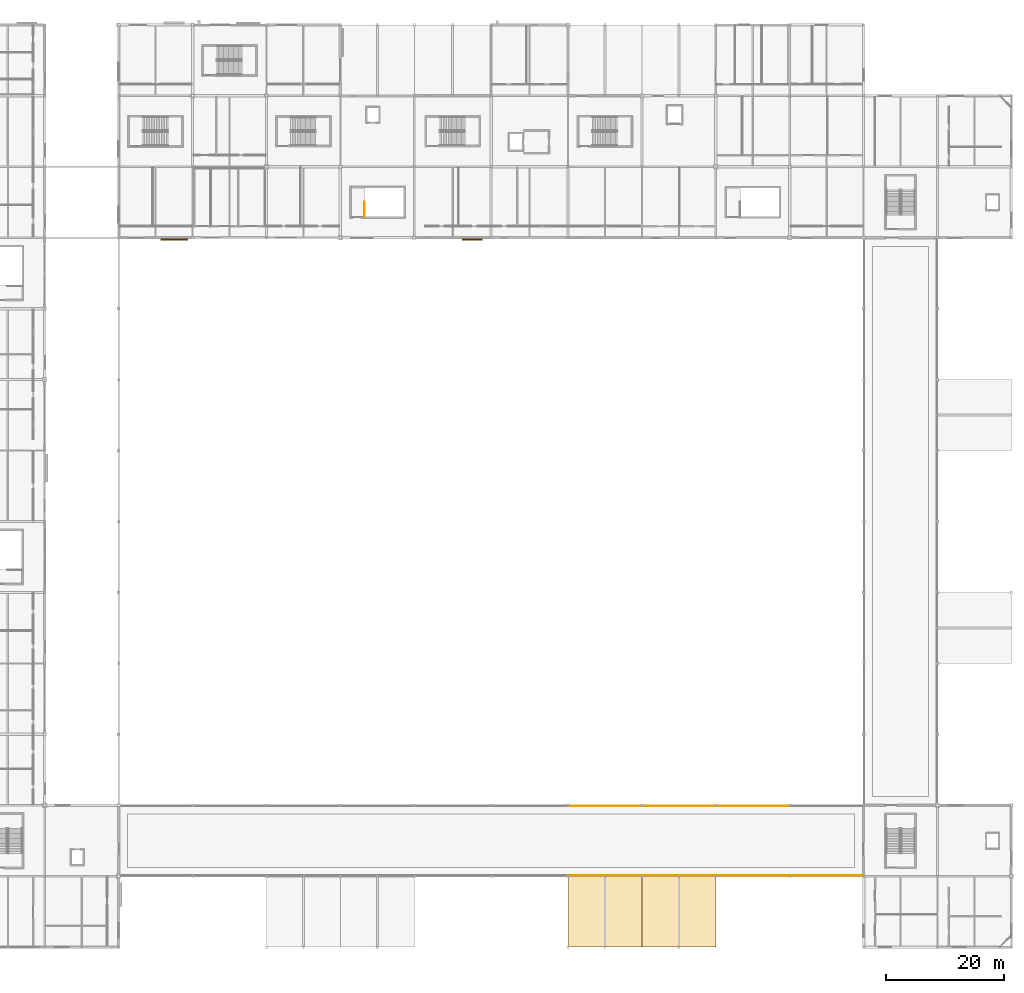
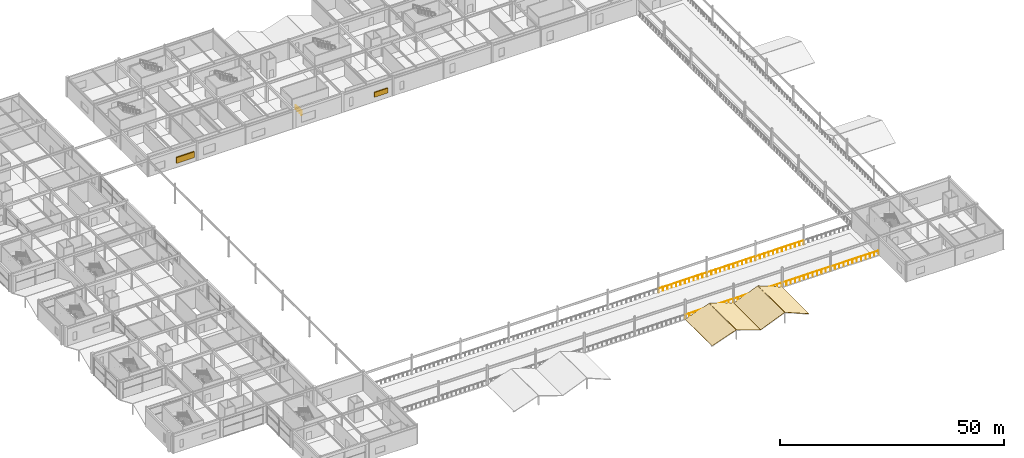
# One storey, part 95 of 105: 8 railings, 4 coverings, 2 shading devices.
"""IFC4 building model written with IfcOpenShell, lengths in metres."""

import ifcopenshell
import ifcopenshell.guid

model = None  # the IFC model being written
_history = None  # IfcOwnerHistory: only IFC2X3 demands one
_inside = {}  # id of a spatial element -> (the spatial element, [elements in it])
_under = {}  # id of a project, library or spatial element -> (it, [spatial elements below it])
_declared = {}  # id of a project -> (the project, [libraries it declares])
_typed = {}  # id of a type object -> (the type object, [elements of that type])
_made_of = {}  # id of a material, layer set ... -> (it, [elements and type objects made of it])


def new_model(schema):
    """Start an empty IFC model of exactly this schema.

    Asked for "IFC4X3", IfcOpenShell would pick the latest addendum, in which some entities
    have other attributes; the version numbers below select the first issue.
    IFC2X3 requires an IfcOwnerHistory on every rooted entity: one is made here for all.
    """
    global model, _history
    if schema == "IFC4X3":
        model = ifcopenshell.file(schema_version=(4, 3, 0, 0))
    else:
        model = ifcopenshell.file(schema=schema)
    _inside.clear()
    _under.clear()
    _declared.clear()
    _typed.clear()
    _made_of.clear()
    _history = None
    if model.schema == "IFC2X3":
        org = make("IfcOrganization", Name="unknown")
        user = make(
            "IfcPersonAndOrganization",
            ThePerson=make("IfcPerson", FamilyName="unknown"),
            TheOrganization=org,
        )
        app = make(
            "IfcApplication",
            ApplicationDeveloper=org,
            Version="unknown",
            ApplicationFullName="unknown",
            ApplicationIdentifier="unknown",
        )
        _history = make(
            "IfcOwnerHistory",
            OwningUser=user,
            OwningApplication=app,
            ChangeAction="ADDED",
            CreationDate=0,
        )
    return model


def make(cls, **values):
    """One entity of the class cls with the attributes given. An attribute that is None is left unset."""
    return model.create_entity(
        cls, **{name: value for name, value in values.items() if value is not None}
    )


def rooted(cls, **values):
    """An entity with a GlobalId (a new one), such as an element, a storey or a relation."""
    return make(cls, GlobalId=ifcopenshell.guid.new(), OwnerHistory=_history, **values)


def si_unit(unit_type, name, prefix=None):
    """IfcSIUnit, for example si_unit("LENGTHUNIT", "METRE", prefix="MILLI")."""
    return make("IfcSIUnit", UnitType=unit_type, Prefix=prefix, Name=name)


def assignment(units):
    """IfcUnitAssignment: the units of a project."""
    return None if units is None else make("IfcUnitAssignment", Units=units)


def point(xyz):
    """IfcCartesianPoint."""
    return None if xyz is None else make("IfcCartesianPoint", Coordinates=xyz)


def direction(xyz):
    """IfcDirection."""
    return None if xyz is None else make("IfcDirection", DirectionRatios=xyz)


def frame(location, z_axis=None, x_axis=None):
    """IfcAxis2Placement3D, a coordinate frame: its origin and axes. An axis left out is left unset."""
    return make(
        "IfcAxis2Placement3D",
        Location=point(location),
        Axis=direction(z_axis),
        RefDirection=direction(x_axis),
    )


def frame_2d(location, x_axis=None):
    """IfcAxis2Placement2D, a coordinate frame in the plane: its origin and x axis."""
    return make(
        "IfcAxis2Placement2D", Location=point(location), RefDirection=direction(x_axis)
    )


def origin():
    """The frame at (0, 0, 0) with its axes left unset."""
    return frame((0.0, 0.0, 0.0))


def origin_2d():
    """The frame at (0, 0) in the plane with its x axis left unset."""
    return frame_2d((0.0, 0.0))


def place(relative_to, where):
    """IfcLocalPlacement: puts the frame where relative to a parent placement (None: the world)."""
    return make(
        "IfcLocalPlacement", PlacementRelTo=relative_to, RelativePlacement=where
    )


def context(
    kind, dimensions, precision=None, world=None, true_north=None, identifier=None
):
    """IfcGeometricRepresentationContext, for example the 3D "Model" context."""
    return make(
        "IfcGeometricRepresentationContext",
        ContextIdentifier=identifier,
        ContextType=kind,
        CoordinateSpaceDimension=dimensions,
        Precision=precision,
        WorldCoordinateSystem=world,
        TrueNorth=true_north,
    )


def subcontext(parent, identifier, kind, view, scale=None):
    """IfcGeometricRepresentationSubContext, for example "Body" below "Model"."""
    return make(
        "IfcGeometricRepresentationSubContext",
        ContextIdentifier=identifier,
        ContextType=kind,
        ParentContext=parent,
        TargetScale=scale,
        TargetView=view,
    )


def project(units=None, contexts=None):
    """IfcProject with its units and contexts."""
    return rooted(
        "IfcProject",
        Name="project",
        RepresentationContexts=contexts,
        UnitsInContext=assignment(units),
    )


def spatial(cls, under=None, at=None, **own):
    """A site, building, storey or space (cls), placed at a placement, below another one or the project."""
    s = rooted(cls, ObjectPlacement=at, **own)
    if under is not None:
        _under.setdefault(under.id(), (under, []))[1].append(s)
    return s


def polyline(points):
    """IfcPolyline through the points."""
    return make("IfcPolyline", Points=[point(p) for p in points])


def profile(cls, at=None, kind="AREA", **sizes):
    """A parametric profile (cls). Its sizes go by their IFC names, for example OverallWidth=200.0."""
    return make(cls, ProfileType=kind, Position=at, **sizes)


def rectangle(**sizes):
    """IfcRectangleProfileDef."""
    return profile("IfcRectangleProfileDef", **sizes)


def circle(**sizes):
    """IfcCircleProfileDef."""
    return profile("IfcCircleProfileDef", **sizes)


def outline(outer, holes=None, kind="AREA"):
    """IfcArbitraryClosedProfileDef: a profile drawn as a closed curve; with holes, ...WithVoids."""
    if holes is None:
        return make("IfcArbitraryClosedProfileDef", ProfileType=kind, OuterCurve=outer)
    return make(
        "IfcArbitraryProfileDefWithVoids",
        ProfileType=kind,
        OuterCurve=outer,
        InnerCurves=holes,
    )


def extrude(swept, where, along, depth):
    """IfcExtrudedAreaSolid: the profile swept, set in the frame where, extruded along a direction by depth."""
    return make(
        "IfcExtrudedAreaSolid",
        SweptArea=swept,
        Position=where,
        ExtrudedDirection=direction(along),
        Depth=depth,
    )


def shape(context_of_items, identifier, shape_type, items):
    """IfcShapeRepresentation: the items that make up one representation, for example the "Body"."""
    return make(
        "IfcShapeRepresentation",
        ContextOfItems=context_of_items,
        RepresentationIdentifier=identifier,
        RepresentationType=shape_type,
        Items=items,
    )


def material(Name=None, Category=None):
    """IfcMaterial."""
    return make("IfcMaterial", Name=Name, Category=Category)


def layer(
    of_material, thickness, ventilated=None, Name=None, Category=None, Priority=None
):
    """IfcMaterialLayer: one layer of a wall or slab, of a material (None: an air gap)."""
    return make(
        "IfcMaterialLayer",
        Material=of_material,
        LayerThickness=thickness,
        IsVentilated=ventilated,
        Name=Name,
        Category=Category,
        Priority=Priority,
    )


def layer_set(layers, Name=None):
    """IfcMaterialLayerSet."""
    return make("IfcMaterialLayerSet", MaterialLayers=layers, LayerSetName=Name)


def made_of(thing, what):
    """Note that an element or type object is made of a material, layer set ...; save() writes the relation."""
    if what is not None:
        _made_of.setdefault(what.id(), (what, []))[1].append(thing)
    return thing


def type_object(cls, material=None, **own):
    """A type object (cls), such as IfcWallType, which elements share."""
    return made_of(rooted(cls, **own), material)


def element(
    cls,
    number,
    at=None,
    inside=None,
    cuts=None,
    type_object=None,
    material=None,
    context=None,
    identifier="Body",
    shape_type=None,
    held_by="IfcProductDefinitionShape",
    body=None,
    shapes=None,
    **own,
):
    """One element of the class cls, such as IfcWall. Its Tag is "e" and its number.

    at: its placement. inside: the storey or other place that contains it. cuts: it is an
    opening in that element (IfcRelVoidsElement). A single representation is given by context,
    identifier, shape_type and body (its items); several are given by shapes. held_by: the class
    of the entity that holds the representations. save() writes the other relations.
    """
    e = rooted(cls, Tag="e%d" % number, ObjectPlacement=at, **own)
    if body is not None:
        shapes = [shape(context, identifier, shape_type, body)]
    if shapes is not None:
        e.Representation = make(held_by, Representations=shapes)
    if inside is not None:
        _inside.setdefault(inside.id(), (inside, []))[1].append(e)
    if cuts is not None:
        rooted(
            "IfcRelVoidsElement", RelatingBuildingElement=cuts, RelatedOpeningElement=e
        )
    if type_object is not None:
        _typed.setdefault(type_object.id(), (type_object, []))[1].append(e)
    return made_of(e, material)


def aggregate(whole, parts):
    """IfcRelAggregates: a whole, such as a stair, and the parts it consists of."""
    return rooted("IfcRelAggregates", RelatingObject=whole, RelatedObjects=parts)


def save(model, path):
    """Write the relations noted so far, then the file.

    IfcRelAggregates (storeys below a building ...), IfcRelContainedInSpatialStructure (elements
    in a storey), IfcRelDefinesByType, IfcRelAssociatesMaterial and IfcRelDeclares: one each for
    every whole, place, type object, material and project.
    """
    for whole, parts in _under.values():
        aggregate(whole, parts)
    for where, things in _inside.values():
        rooted(
            "IfcRelContainedInSpatialStructure",
            RelatedElements=things,
            RelatingStructure=where,
        )
    for kind, things in _typed.values():
        rooted("IfcRelDefinesByType", RelatedObjects=things, RelatingType=kind)
    for what, things in _made_of.values():
        rooted("IfcRelAssociatesMaterial", RelatedObjects=things, RelatingMaterial=what)
    for by, libraries in _declared.values():
        rooted("IfcRelDeclares", RelatingContext=by, RelatedDefinitions=libraries)
    model.write(path)


model = new_model("IFC4")

# Units and contexts
model_context = context("Model", 3, precision=1e-05, world=origin(), true_north=direction((0.0, 1.0)))
body_context = subcontext(model_context, "Body", "Model", "MODEL_VIEW")
ifc_project = project(units=[si_unit("LENGTHUNIT", "METRE"), si_unit("AREAUNIT", "SQUARE_METRE"), si_unit("VOLUMEUNIT", "CUBIC_METRE"), si_unit("PLANEANGLEUNIT", "RADIAN"), si_unit("MASSUNIT", "GRAM", prefix="KILO")], contexts=[model_context])

# Site, building, storey
site_placement = place(None, origin())
site = spatial("IfcSite", under=ifc_project, at=site_placement, CompositionType="ELEMENT")
building_placement = place(site_placement, origin())
building = spatial("IfcBuilding", under=site, at=building_placement, Name="Kazenohara Klinker Stadium", CompositionType="ELEMENT")
storey_placement = place(building_placement, frame((0.0, 0.0, 20.39990234375)))
storey = spatial("IfcBuildingStorey", under=building, at=storey_placement, Name="L04", CompositionType="ELEMENT", Elevation=20.39990234375)

# Coverings
ifc_material_1 = material(Name="Insulated standing-seam copper roofing", Category="metal")
ifc_layer_1 = layer(ifc_material_1, 0.050048828125)
ifc_layer_set_1 = layer_set([ifc_layer_1], Name="Insulated standing-seam copper roofing")
covering_type = type_object("IfcCoveringType", Name="COV-ROOF-01", PredefinedType="ROOFING", material=ifc_layer_set_1)
for number, where, z_axis, x_axis, name in (
    (1, (125.0, 12.0, -0.02978515625), (-0.327622925614, 0.0, 0.944808561886), (0.944808561886, 0.0, 0.327622925614), "Standing-seam copper stepped wing roofing L04-A 11/B"),
    (2, (131.300048828125, 12.0, 2.1201171875), (0.327622925614, 0.0, 0.944808561886), (0.944808561886, 0.0, -0.327622925614), "Standing-seam copper stepped wing roofing L04-B 11/B"),
):
    element("IfcCovering", number, at=place(storey_placement, frame(where, z_axis=z_axis, x_axis=x_axis)), inside=storey, type_object=covering_type, Name=name, PredefinedType="ROOFING", context=body_context, shape_type="SweptSolid", body=[
        extrude(outline(polyline([(0.0, 0.0), (6.5621242461032345, 0.0), (6.5621242461032345, 12.0), (0.0, 12.0), (0.0, 0.0)])), origin(), (0.0, 0.0, -1.0), 0.050048828125),
    ])
for number, where, z_axis, x_axis, name in (
    (3, (137.5, 12.0, -0.02978515625), (-0.380352293876, 0.0, 0.924841679718), (0.924841679718, 0.0, 0.380352293876), "Standing-seam copper stepped wing roofing L04-A 12/B"),
    (4, (143.800048828125, 12.0, 2.52001953125), (0.380352293876, 0.0, 0.924841679718), (0.924841679718, 0.0, -0.380352293876), "Standing-seam copper stepped wing roofing L04-B 12/B"),
):
    element("IfcCovering", number, at=place(storey_placement, frame(where, z_axis=z_axis, x_axis=x_axis)), inside=storey, type_object=covering_type, Name=name, PredefinedType="ROOFING", context=body_context, shape_type="SweptSolid", body=[
        extrude(outline(polyline([(0.0, 0.0), (6.703797317791698, 0.0), (6.703797317791698, 12.0), (0.0, 12.0), (0.0, 0.0)])), origin(), (0.0, 0.0, -1.0), 0.050048828125),
    ])

# Railings
ifc_material_2 = material(Name="Tempered laminated glass and stainless steel 316 balustrade", Category="steel")
ifc_layer_2 = layer(ifc_material_2, 0.090087890625)
ifc_layer_set_2 = layer_set([ifc_layer_2], Name="Tempered laminated glass and stainless steel 316 balustrade")
railing_type_1 = type_object("IfcRailingType", Name="RL-BAL-1150", PredefinedType="BALUSTRADE", material=ifc_layer_set_2)
for number, where, name in (
    (5, (125.050048828125, 24.10009765625, 0.0), "Roof garden terrace safety balustrade BL01-013"),
    (6, (125.050048828125, 35.89990234375, 0.0), "Roof garden terrace safety balustrade BL01-014"),
    (7, (137.550048828125, 24.10009765625, 0.0), "Roof garden terrace safety balustrade BL01-015"),
    (8, (137.550048828125, 35.89990234375, 0.0), "Roof garden terrace safety balustrade BL01-016"),
    (9, (150.050048828125, 24.10009765625, 0.0), "Roof garden terrace safety balustrade BL01-017"),
    (10, (150.050048828125, 35.89990234375, 0.0), "Roof garden terrace safety balustrade BL01-018"),
    (11, (162.550048828125, 24.10009765625, 0.0), "Roof garden terrace safety balustrade BL01-019"),
):
    element("IfcRailing", number, at=place(storey_placement, frame(where)), inside=storey, type_object=railing_type_1, Name=name, PredefinedType="BALUSTRADE", context=body_context, shape_type="SweptSolid", body=[
        extrude(circle(Radius=0.02392578125, at=origin_2d()), frame((0.0, 0.0, 1.1259765625), z_axis=(1.0, 0.0, 0.0), x_axis=(0.0, 1.0, 0.0)), (0.0, 0.0, 1.0), 12.39990234375),
        extrude(circle(Radius=0.02099609375, at=origin_2d()), origin(), (0.0, 0.0, 1.0), 1.101806640625),
        extrude(circle(Radius=0.02099609375, at=origin_2d()), frame((1.127197265625, 0.0, 0.0)), (0.0, 0.0, 1.0), 1.101806640625),
        extrude(circle(Radius=0.02099609375, at=origin_2d()), frame((2.254638671875, 0.0, 0.0)), (0.0, 0.0, 1.0), 1.101806640625),
        extrude(circle(Radius=0.02099609375, at=origin_2d()), frame((3.3818359375, 0.0, 0.0)), (0.0, 0.0, 1.0), 1.101806640625),
        extrude(circle(Radius=0.02099609375, at=origin_2d()), frame((4.509033203125, 0.0, 0.0)), (0.0, 0.0, 1.0), 1.101806640625),
        extrude(circle(Radius=0.02099609375, at=origin_2d()), frame((5.63623046875, 0.0, 0.0)), (0.0, 0.0, 1.0), 1.101806640625),
        extrude(circle(Radius=0.02099609375, at=origin_2d()), frame((6.763671875, 0.0, 0.0)), (0.0, 0.0, 1.0), 1.101806640625),
        extrude(circle(Radius=0.02099609375, at=origin_2d()), frame((7.890869140625, 0.0, 0.0)), (0.0, 0.0, 1.0), 1.101806640625),
        extrude(circle(Radius=0.02099609375, at=origin_2d()), frame((9.01806640625, 0.0, 0.0)), (0.0, 0.0, 1.0), 1.101806640625),
        extrude(circle(Radius=0.02099609375, at=origin_2d()), frame((10.145263671875, 0.0, 0.0)), (0.0, 0.0, 1.0), 1.101806640625),
        extrude(circle(Radius=0.02099609375, at=origin_2d()), frame((11.272705078125, 0.0, 0.0)), (0.0, 0.0, 1.0), 1.101806640625),
        extrude(circle(Radius=0.02099609375, at=origin_2d()), frame((12.39990234375, 0.0, 0.0)), (0.0, 0.0, 1.0), 1.101806640625),
    ])
ifc_material_3 = material(Name="Painted steel stairwell guardrail", Category="steel")
ifc_layer_3 = layer(ifc_material_3, 0.06005859375)
ifc_layer_set_3 = layer_set([ifc_layer_3], Name="Painted steel stairwell guardrail")
railing_type_2 = type_object("IfcRailingType", Name="RL-STG-1120", PredefinedType="GUARDRAIL", material=ifc_layer_set_3)
railing_placement = place(storey_placement, frame((90.570068359375, 135.570068359375, 0.0)))
element("IfcRailing", 12, at=railing_placement, inside=storey, type_object=railing_type_2, Name="L04 ST19 top well guard 1", PredefinedType="GUARDRAIL", context=body_context, shape_type="SweptSolid", body=[
    extrude(circle(Radius=0.02392578125, at=origin_2d()), frame((0.0, 0.0, 1.1259765625), z_axis=(0.0, 1.0, 0.0), x_axis=(-1.0, 0.0, 0.0)), (0.0, 0.0, 1.0), 2.530029296875),
    extrude(circle(Radius=0.02099609375, at=origin_2d()), origin(), (0.0, 0.0, 1.0), 1.101806640625),
    extrude(circle(Radius=0.02099609375, at=origin_2d()), frame((0.0, 0.84326171875, 0.0)), (0.0, 0.0, 1.0), 1.101806640625),
    extrude(circle(Radius=0.02099609375, at=origin_2d()), frame((0.0, 1.686767578125, 0.0)), (0.0, 0.0, 1.0), 1.101806640625),
    extrude(circle(Radius=0.02099609375, at=origin_2d()), frame((0.0, 2.530029296875, 0.0)), (0.0, 0.0, 1.0), 1.101806640625),
])

# Shading devices
ifc_material_4 = material(Name="Perforated clinker-brick and bronze louvre grille", Category="masonry")
shading_device_type_1 = type_object("IfcShadingDeviceType", Name="SHD-LOUV-01", PredefinedType="JALOUSIE", material=ifc_material_4)
shading_device_1_placement = place(storey_placement, frame((108.7978515625, 131.699951171875, 1.4501953125), z_axis=(0.0, 0.0, 1.0), x_axis=(1.0, 0.0, 0.0)))
element("IfcShadingDevice", 13, at=shading_device_1_placement, inside=storey, type_object=shading_device_type_1, Name="Perforated clinker-brick louvre screen LV01-30", PredefinedType="JALOUSIE", context=body_context, shape_type="SweptSolid", body=[
    extrude(rectangle(XDim=3.39990234375, YDim=0.300048828125, at=origin_2d()), origin(), (0.0, 0.0, 1.0), 1.300048828125),
])
shading_device_type_2 = type_object("IfcShadingDeviceType", Name="SHD-LOUV-03", PredefinedType="JALOUSIE", material=ifc_material_4)
shading_device_2_placement = place(storey_placement, frame((58.387939453125, 131.68994140625, 1.300048828125), z_axis=(0.0, 0.0, 1.0), x_axis=(1.0, 0.0, 0.0)))
element("IfcShadingDevice", 14, at=shading_device_2_placement, inside=storey, type_object=shading_device_type_2, Name="Perforated clinker-brick louvre screen LV03-26", PredefinedType="JALOUSIE", context=body_context, shape_type="SweptSolid", body=[
    extrude(rectangle(XDim=4.60009765625, YDim=0.320068359375, at=origin_2d()), origin(), (0.0, 0.0, 1.0), 1.60009765625),
])

save(model, "model.ifc")
